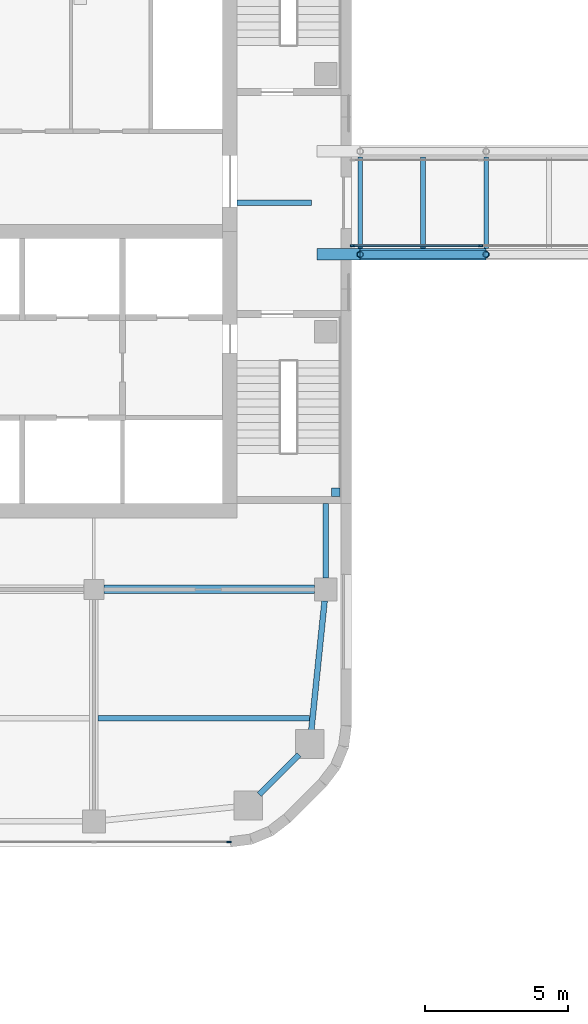
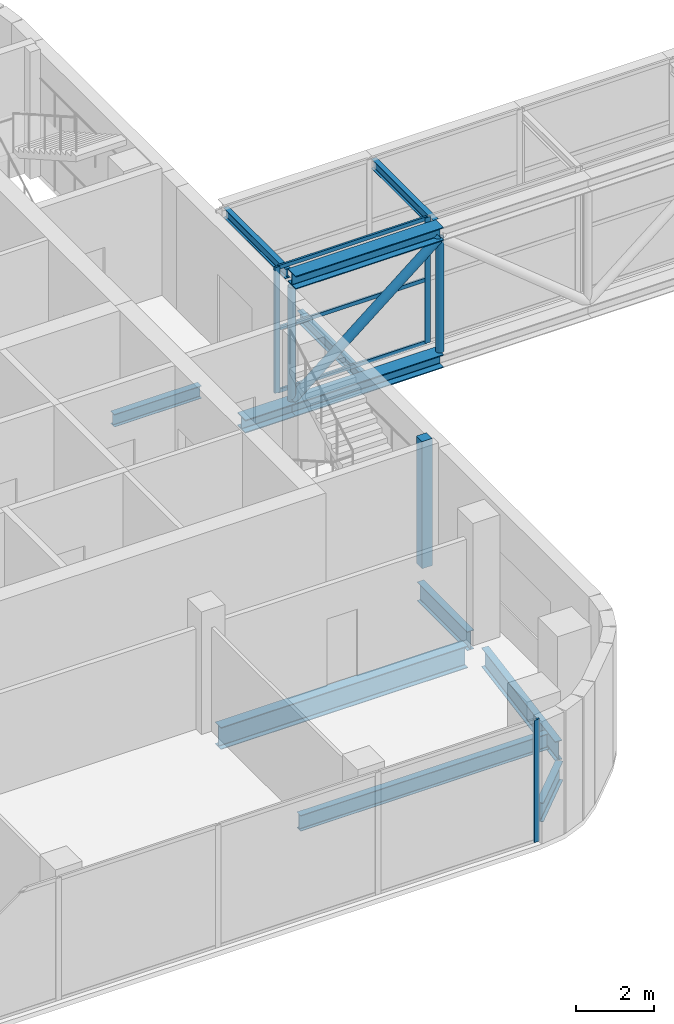
# One storey, part 4 of 24: 13 members, 9 beams, 2 elements without a shape of their own.
"""IFC4 building model written with IfcOpenShell, lengths in metres."""

from ifc_helpers import new_model, si_unit, direction, frame, origin, origin_2d, place, context, subcontext, project, spatial, rectangle, hollow_circle, i_section, extrude, material, material_profile, profile_set, type_object, element, aggregate, save


model = new_model("IFC4")

# Units and contexts
model_context = context("Model", 3, precision=1e-05, world=origin(), true_north=direction((0.0, 1.0)))
body_context = subcontext(model_context, "Body", "Model", "MODEL_VIEW")
ifc_project = project(units=[si_unit("LENGTHUNIT", "METRE"), si_unit("AREAUNIT", "SQUARE_METRE"), si_unit("VOLUMEUNIT", "CUBIC_METRE"), si_unit("PLANEANGLEUNIT", "RADIAN"), si_unit("MASSUNIT", "GRAM", prefix="KILO")], contexts=[model_context])

# Site, building, storey
site_placement = place(None, origin())
site = spatial("IfcSite", under=ifc_project, at=site_placement, CompositionType="ELEMENT")
building_placement = place(site_placement, origin())
building = spatial("IfcBuilding", under=site, at=building_placement, Name="Cinnabar Reach Civic Tower", CompositionType="ELEMENT")
storey_placement = place(building_placement, frame((0.0, 0.0, 71.0)))
storey = spatial("IfcBuildingStorey", under=building, at=storey_placement, Name="L16", CompositionType="ELEMENT", Elevation=71.0)

# Curtain wall, members
ifc_material_1 = material(Name="Aluminium and insulated spandrel panels", Category="aluminium")
curtain_wall_type_1 = type_object("IfcCurtainWallType", Name="Bridge 1 enclosure curtain wall", PredefinedType="NOTDEFINED", material=ifc_material_1)
curtain_wall_1_placement = place(storey_placement, origin())
curtain_wall_1 = element("IfcCurtainWall", 1, at=curtain_wall_1_placement, inside=storey, type_object=curtain_wall_type_1, Name="Bridge 1 enclosure 1", PredefinedType="NOTDEFINED")
ifc_material_2 = material(Name="Aluminium", Category="aluminium")
ifc_material_profile_1 = material_profile(ifc_material_2, rectangle(XDim=0.06, YDim=0.16, at=origin_2d()), Name="Bridge 1 enclosure mullion")
ifc_profile_set_1 = profile_set([ifc_material_profile_1], Name="Aluminium")
member_type_1 = type_object("IfcMemberType", Name="Bridge 1 enclosure mullion", PredefinedType="MULLION", material=ifc_profile_set_1)
member_1_placement = place(storey_placement, frame((-26.97, 30.0, 0.0), z_axis=(0.0, 0.0, 1.0), x_axis=(0.0, 1.0, 0.0)))
member_1 = element("IfcMember", 2, at=member_1_placement, type_object=member_type_1, Name="CW-BR1-1 mullion 1", PredefinedType="MULLION", context=body_context, shape_type="SweptSolid", body=[
    extrude(rectangle(XDim=0.06, YDim=0.16, at=origin_2d()), origin(), (0.0, 0.0, 1.0), 3.95),
])
member_2_placement = place(storey_placement, frame((-22.5, 30.0, 0.0), z_axis=(0.0, 0.0, 1.0), x_axis=(0.0, 1.0, 0.0)))
member_2 = element("IfcMember", 3, at=member_2_placement, type_object=member_type_1, Name="CW-BR1-1 mullion 2", PredefinedType="MULLION", context=body_context, shape_type="SweptSolid", body=[
    extrude(rectangle(XDim=0.06, YDim=0.16, at=origin_2d()), origin(), (0.0, 0.0, 1.0), 3.95),
])
ifc_material_profile_2 = material_profile(ifc_material_2, rectangle(XDim=0.06, YDim=0.12, at=origin_2d()), Name="Bridge 1 enclosure transom")
ifc_profile_set_2 = profile_set([ifc_material_profile_2], Name="Aluminium")
member_type_2 = type_object("IfcMemberType", Name="Bridge 1 enclosure transom", PredefinedType="USERDEFINED", material=ifc_profile_set_2)
member_3_placement = place(storey_placement, frame((-26.94, 30.0, 0.03), z_axis=(1.0, 0.0, 0.0), x_axis=(0.0, 1.0, 0.0)))
member_3 = element("IfcMember", 4, at=member_3_placement, type_object=member_type_2, Name="CW-BR1-1 transom 1.1", ObjectType="TRANSOM", PredefinedType="USERDEFINED", context=body_context, shape_type="SweptSolid", body=[
    extrude(rectangle(XDim=0.06, YDim=0.12, at=origin_2d()), origin(), (0.0, 0.0, 1.0), 4.41),
])
member_4_placement = place(storey_placement, frame((-26.94, 30.0, 2.0), z_axis=(1.0, 0.0, 0.0), x_axis=(0.0, 1.0, 0.0)))
member_4 = element("IfcMember", 5, at=member_4_placement, type_object=member_type_2, Name="CW-BR1-1 transom 1.2", ObjectType="TRANSOM", PredefinedType="USERDEFINED", context=body_context, shape_type="SweptSolid", body=[
    extrude(rectangle(XDim=0.06, YDim=0.12, at=origin_2d()), origin(), (0.0, 0.0, 1.0), 4.41),
])
member_5_placement = place(storey_placement, frame((-26.94, 30.0, 3.92), z_axis=(1.0, 0.0, 0.0), x_axis=(0.0, 1.0, 0.0)))
member_5 = element("IfcMember", 6, at=member_5_placement, type_object=member_type_2, Name="CW-BR1-1 transom 1.3", ObjectType="TRANSOM", PredefinedType="USERDEFINED", context=body_context, shape_type="SweptSolid", body=[
    extrude(rectangle(XDim=0.06, YDim=0.12, at=origin_2d()), origin(), (0.0, 0.0, 1.0), 4.41),
])
aggregate(curtain_wall_1, [member_1, member_2, member_3, member_4, member_5])

# Members
ifc_material_3 = material(Name="Steel Q355B", Category="steel")
ifc_material_profile_3 = material_profile(ifc_material_3, hollow_circle(Radius=0.1095, WallThickness=0.008, at=origin_2d()), Name="CHS219x8")
ifc_profile_set_3 = profile_set([ifc_material_profile_3], Name="Steel Q355B")
member_type_3 = type_object("IfcMemberType", Name="CHS219x8 bridge post", PredefinedType="POST", material=ifc_profile_set_3)
for number, where, z_axis, x_axis, name in (
    (7, (-26.7, 29.7, -0.15), (0.0, 0.0, 1.0), (1.0, 0.0, 0.0), "BR1 truss post"),
    (8, (-22.3, 29.7, -0.15), (0.0, 0.0, 1.0), (1.0, 0.0, 0.0), "BR1 truss post"),
):
    element("IfcMember", number, at=place(storey_placement, frame(where, z_axis=z_axis, x_axis=x_axis)), inside=storey, type_object=member_type_3, Name=name, PredefinedType="POST", context=body_context, shape_type="SweptSolid", body=[
        extrude(hollow_circle(Radius=0.1095, WallThickness=0.008, at=origin_2d()), origin(), (0.0, 0.0, 1.0), 3.586),
    ])
ifc_material_profile_4 = material_profile(ifc_material_3, hollow_circle(Radius=0.1365, WallThickness=0.01, at=origin_2d()), Name="CHS273x10")
ifc_profile_set_4 = profile_set([ifc_material_profile_4], Name="Steel Q355B")
member_type_4 = type_object("IfcMemberType", Name="CHS273x10 bridge brace", PredefinedType="BRACE", material=ifc_profile_set_4)
member_6_placement = place(storey_placement, frame((-26.7, 29.7, -0.15), z_axis=(0.775164685486, 0.0, 0.631759218671), x_axis=(0.0, 1.0, 0.0)))
element("IfcMember", 9, at=member_6_placement, inside=storey, type_object=member_type_4, Name="BR1 truss diagonal", PredefinedType="BRACE", context=body_context, shape_type="SweptSolid", body=[
    extrude(hollow_circle(Radius=0.1365, WallThickness=0.01, at=origin_2d()), origin(), (0.0, 0.0, 1.0), 5.6762),
])

# Beams
ifc_material_profile_5 = material_profile(ifc_material_3, i_section(OverallWidth=0.15, OverallDepth=0.3, WebThickness=0.0065, FlangeThickness=0.009, FilletRadius=0.013, at=origin_2d()), Name="HN300x150x6.5x9")
ifc_profile_set_5 = profile_set([ifc_material_profile_5], Name="Steel Q355B")
beam_type_1 = type_object("IfcBeamType", Name="HN300x150x6.5x9 beam", PredefinedType="BEAM", material=ifc_profile_set_5)
for number, where, z_axis, x_axis, name in (
    (10, (-26.7, 29.9025, 3.7), (0.0, 1.0, 0.0), (-1.0, 0.0, 0.0), "BR1 top bracing beam"),
    (11, (-22.3, 29.9025, 3.7), (0.0, 1.0, 0.0), (-1.0, 0.0, 0.0), "BR1 top bracing beam"),
):
    element("IfcBeam", number, at=place(storey_placement, frame(where, z_axis=z_axis, x_axis=x_axis)), inside=storey, type_object=beam_type_1, Name=name, PredefinedType="BEAM", context=body_context, shape_type="SweptSolid", body=[
        extrude(i_section(OverallWidth=0.15, OverallDepth=0.3, WebThickness=0.0065, FlangeThickness=0.009, FilletRadius=0.013, at=origin_2d()), origin(), (0.0, 0.0, 1.0), 3.195),
    ])
ifc_material_profile_6 = material_profile(ifc_material_3, i_section(OverallWidth=0.174, OverallDepth=0.346, WebThickness=0.006, FlangeThickness=0.009, FilletRadius=0.013, at=origin_2d()), Name="HN346x174x6x9")
ifc_profile_set_6 = profile_set([ifc_material_profile_6], Name="Steel Q355B")
beam_type_2 = type_object("IfcBeamType", Name="HN346x174x6x9 beam", PredefinedType="BEAM", material=ifc_profile_set_6)
beam_1_placement = place(storey_placement, frame((-24.5, 29.9025, -0.323), z_axis=(0.0, 1.0, 0.0), x_axis=(-1.0, 0.0, 0.0)))
element("IfcBeam", 12, at=beam_1_placement, inside=storey, type_object=beam_type_2, Name="BR1 floor beam", PredefinedType="BEAM", context=body_context, shape_type="SweptSolid", body=[
    extrude(i_section(OverallWidth=0.174, OverallDepth=0.346, WebThickness=0.006, FlangeThickness=0.009, FilletRadius=0.013, at=origin_2d()), origin(), (0.0, 0.0, 1.0), 3.195),
])
ifc_material_profile_7 = material_profile(ifc_material_3, i_section(OverallWidth=0.199, OverallDepth=0.396, WebThickness=0.007, FlangeThickness=0.011, FilletRadius=0.013, at=origin_2d()), Name="HN396x199x7x11")
ifc_profile_set_7 = profile_set([ifc_material_profile_7], Name="Steel Q355B")
beam_type_3 = type_object("IfcBeamType", Name="HN396x199x7x11 beam R 120", PredefinedType="BEAM", material=ifc_profile_set_7)
beam_2_placement = place(storey_placement, frame((-30.998, 31.5, -0.348), z_axis=(1.0, 0.0, 0.0), x_axis=(0.0, 1.0, 0.0)))
element("IfcBeam", 13, at=beam_2_placement, inside=storey, type_object=beam_type_3, Name="Secondary beam T2 L16 11", PredefinedType="BEAM", context=body_context, shape_type="SweptSolid", body=[
    extrude(i_section(OverallWidth=0.199, OverallDepth=0.396, WebThickness=0.007, FlangeThickness=0.011, FilletRadius=0.013, at=origin_2d()), origin(), (0.0, 0.0, 1.0), 2.596),
])
ifc_material_profile_8 = material_profile(ifc_material_3, i_section(OverallWidth=0.199, OverallDepth=0.496, WebThickness=0.009, FlangeThickness=0.014, FilletRadius=0.016, at=origin_2d()), Name="HN496x199x9x14")
ifc_profile_set_8 = profile_set([ifc_material_profile_8], Name="Steel Q355B")
beam_type_4 = type_object("IfcBeamType", Name="HN496x199x9x14 beam R 120", PredefinedType="BEAM", material=ifc_profile_set_8)
beam_3_placement = place(storey_placement, frame((-35.847, 13.5, -0.398), z_axis=(1.0, 0.0, 0.0), x_axis=(0.0, 1.0, 0.0)))
element("IfcBeam", 14, at=beam_3_placement, inside=storey, type_object=beam_type_4, Name="Secondary beam T2 L16 4", PredefinedType="BEAM", context=body_context, shape_type="SweptSolid", body=[
    extrude(i_section(OverallWidth=0.199, OverallDepth=0.496, WebThickness=0.009, FlangeThickness=0.014, FilletRadius=0.016, at=origin_2d()), origin(), (0.0, 0.0, 1.0), 7.3834),
])
ifc_material_profile_9 = material_profile(ifc_material_3, i_section(OverallWidth=0.2, OverallDepth=0.6, WebThickness=0.011, FlangeThickness=0.017, FilletRadius=0.016, at=origin_2d()), Name="HN600x200x11x17")
ifc_profile_set_9 = profile_set([ifc_material_profile_9], Name="Steel Q355B")
beam_type_5 = type_object("IfcBeamType", Name="HN600x200x11x17 beam R 120", PredefinedType="BEAM", material=ifc_profile_set_9)
beam_4_placement = place(storey_placement, frame((-30.2199, 10.8351, -0.45), z_axis=(0.707106781187, 0.707106781187, 0.0), x_axis=(-0.707106781187, 0.707106781187, 0.0)))
element("IfcBeam", 15, at=beam_4_placement, inside=storey, type_object=beam_type_5, Name="Edge beam T2 L16 4", PredefinedType="BEAM", context=body_context, shape_type="SweptSolid", body=[
    extrude(i_section(OverallWidth=0.2, OverallDepth=0.6, WebThickness=0.011, FlangeThickness=0.017, FilletRadius=0.016, at=origin_2d()), origin(), (0.0, 0.0, 1.0), 1.9584),
])
beam_5_placement = place(storey_placement, frame((-28.414, 12.9839, -0.45), z_axis=(0.101934770579, 0.994791084875, 0.0), x_axis=(-0.994791084875, 0.101934770579, 0.0)))
element("IfcBeam", 16, at=beam_5_placement, inside=storey, type_object=beam_type_5, Name="Edge beam T2 L16 5", PredefinedType="BEAM", context=body_context, shape_type="SweptSolid", body=[
    extrude(i_section(OverallWidth=0.2, OverallDepth=0.6, WebThickness=0.011, FlangeThickness=0.017, FilletRadius=0.016, at=origin_2d()), origin(), (0.0, 0.0, 1.0), 4.6383),
])
beam_6_placement = place(storey_placement, frame((-27.9, 18.402, -0.45), z_axis=(0.0, 1.0, 0.0), x_axis=(-1.0, 0.0, 0.0)))
element("IfcBeam", 17, at=beam_6_placement, inside=storey, type_object=beam_type_5, Name="Edge beam T2 L16 6", PredefinedType="BEAM", context=body_context, shape_type="SweptSolid", body=[
    extrude(i_section(OverallWidth=0.2, OverallDepth=0.6, WebThickness=0.011, FlangeThickness=0.017, FilletRadius=0.016, at=origin_2d()), origin(), (0.0, 0.0, 1.0), 2.596),
])
ifc_material_profile_10 = material_profile(ifc_material_3, i_section(OverallWidth=0.3, OverallDepth=0.692, WebThickness=0.013, FlangeThickness=0.02, FilletRadius=0.016, at=origin_2d()), Name="HN692x300x13x20")
ifc_profile_set_10 = profile_set([ifc_material_profile_10], Name="Steel Q355B")
beam_type_6 = type_object("IfcBeamType", Name="HN692x300x13x20 beam R 120", PredefinedType="BEAM", material=ifc_profile_set_10)
beam_7_placement = place(storey_placement, frame((-35.648, 18.0, -0.496), z_axis=(1.0, 0.0, 0.0), x_axis=(0.0, 1.0, 0.0)))
element("IfcBeam", 18, at=beam_7_placement, inside=storey, type_object=beam_type_6, Name="Girder T2 L16 4", PredefinedType="BEAM", context=body_context, shape_type="SweptSolid", body=[
    extrude(i_section(OverallWidth=0.3, OverallDepth=0.692, WebThickness=0.013, FlangeThickness=0.02, FilletRadius=0.016, at=origin_2d()), origin(), (0.0, 0.0, 1.0), 7.346),
])

# Members
ifc_material_profile_11 = material_profile(ifc_material_3, i_section(OverallWidth=0.405, OverallDepth=0.414, WebThickness=0.018, FlangeThickness=0.028, FilletRadius=0.016, at=origin_2d()), Name="HW414x405x18x28")
ifc_profile_set_11 = profile_set([ifc_material_profile_11], Name="Steel Q355B")
member_type_5 = type_object("IfcMemberType", Name="HW414x405x18x28 bridge chord", PredefinedType="CHORD", material=ifc_profile_set_11)
member_7_placement = place(storey_placement, frame((-28.2, 29.7, -0.357), z_axis=(1.0, 0.0, 0.0), x_axis=(0.0, 1.0, 0.0)))
element("IfcMember", 19, at=member_7_placement, inside=storey, type_object=member_type_5, Name="BR1 truss bottom chord", PredefinedType="CHORD", context=body_context, shape_type="SweptSolid", body=[
    extrude(i_section(OverallWidth=0.405, OverallDepth=0.414, WebThickness=0.018, FlangeThickness=0.028, FilletRadius=0.016, at=origin_2d()), origin(), (0.0, 0.0, 1.0), 1.5),
])
for number, where, z_axis, x_axis, name in (
    (20, (-26.7, 29.7, -0.357), (1.0, 0.0, 0.0), (0.0, 1.0, 0.0), "BR1 truss bottom chord"),
    (21, (-26.7, 29.7, 3.643), (1.0, 0.0, 0.0), (0.0, 1.0, 0.0), "BR1 truss top chord"),
):
    element("IfcMember", number, at=place(storey_placement, frame(where, z_axis=z_axis, x_axis=x_axis)), inside=storey, type_object=member_type_5, Name=name, PredefinedType="CHORD", context=body_context, shape_type="SweptSolid", body=[
        extrude(i_section(OverallWidth=0.405, OverallDepth=0.414, WebThickness=0.018, FlangeThickness=0.028, FilletRadius=0.016, at=origin_2d()), origin(), (0.0, 0.0, 1.0), 4.4),
    ])
ifc_material_4 = material(Name="Concrete C40", Category="concrete")
ifc_material_profile_12 = material_profile(ifc_material_4, rectangle(XDim=0.3, YDim=0.3, at=origin_2d()), Name="C300")
ifc_profile_set_12 = profile_set([ifc_material_profile_12], Name="Concrete C40")
member_type_6 = type_object("IfcMemberType", Name="T2 stair post 300", PredefinedType="STRUT", material=ifc_profile_set_12)
member_8_placement = place(storey_placement, frame((-27.55, 21.4, 0.0), z_axis=(0.0, 0.0, 1.0), x_axis=(1.0, 0.0, 0.0)))
element("IfcMember", 22, at=member_8_placement, inside=storey, type_object=member_type_6, Name="Stair post 1", PredefinedType="STRUT", context=body_context, shape_type="SweptSolid", body=[
    extrude(rectangle(XDim=0.3, YDim=0.3, at=origin_2d()), origin(), (0.0, 0.0, 1.0), 4.0),
])

# Curtain wall, member
ifc_material_5 = material(Name="Aluminium and clear double glazing", Category="aluminium")
curtain_wall_type_2 = type_object("IfcCurtainWallType", Name="Tower 2 sky lobby and amenity curtain wall", PredefinedType="NOTDEFINED", material=ifc_material_5)
curtain_wall_2_placement = place(storey_placement, origin())
curtain_wall_2 = element("IfcCurtainWall", 23, at=curtain_wall_2_placement, inside=storey, type_object=curtain_wall_type_2, Name="Tower 2 sky lobby and amenity 1", PredefinedType="NOTDEFINED")
ifc_material_profile_13 = material_profile(ifc_material_2, rectangle(XDim=0.06, YDim=0.16, at=origin_2d()), Name="Tower 2 sky lobby and amenity mullion")
ifc_profile_set_13 = profile_set([ifc_material_profile_13], Name="Aluminium")
member_type_7 = type_object("IfcMemberType", Name="Tower 2 sky lobby and amenity mullion", PredefinedType="MULLION", material=ifc_profile_set_13)
member_9_placement = place(storey_placement, frame((-31.2726, 9.18, 0.0), z_axis=(0.0, 0.0, 1.0), x_axis=(0.0, 1.0, 0.0)))
member_9 = element("IfcMember", 24, at=member_9_placement, type_object=member_type_7, Name="CW-T2SKY-1 mullion 6", PredefinedType="MULLION", context=body_context, shape_type="SweptSolid", body=[
    extrude(rectangle(XDim=0.06, YDim=0.16, at=origin_2d()), origin(), (0.0, 0.0, 1.0), 3.85),
])
aggregate(curtain_wall_2, [member_9])

save(model, "model.ifc")
